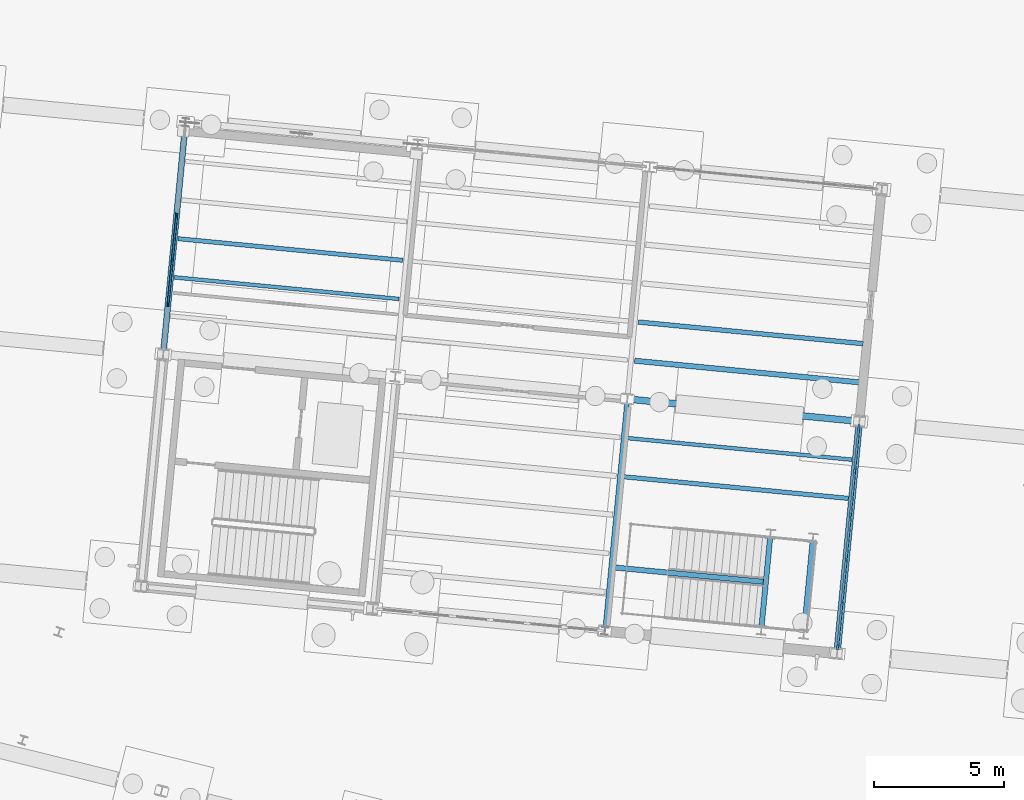
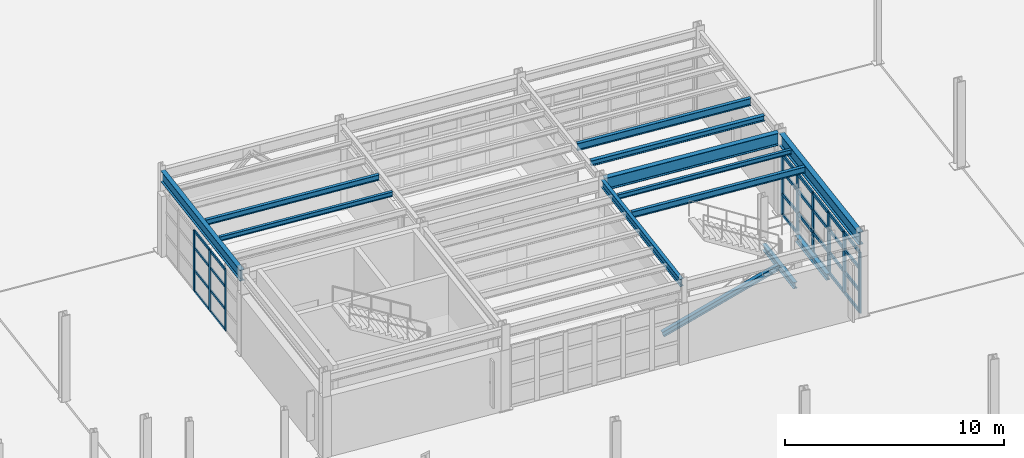
# One storey, part 49 of 108: 38 members, 12 beams, 2 elements without a shape of their own.
"""IFC4 building model written with IfcOpenShell, lengths in metres."""

from ifc_helpers import new_model, si_unit, direction, frame, origin, origin_2d, place, context, subcontext, project, spatial, rectangle, i_section, extrude, material, layer, layer_set, material_profile, profile_set, type_object, element, aggregate, save


model = new_model("IFC4")

# Units and contexts
model_context = context("Model", 3, precision=1e-05, world=origin(), true_north=direction((0.0, 1.0)))
body_context = subcontext(model_context, "Body", "Model", "MODEL_VIEW")
ifc_project = project(units=[si_unit("LENGTHUNIT", "METRE"), si_unit("AREAUNIT", "SQUARE_METRE"), si_unit("VOLUMEUNIT", "CUBIC_METRE"), si_unit("PLANEANGLEUNIT", "RADIAN"), si_unit("MASSUNIT", "GRAM", prefix="KILO")], contexts=[model_context])

# Site, building, storey
site_placement = place(None, origin())
site = spatial("IfcSite", under=ifc_project, at=site_placement, CompositionType="ELEMENT")
building_placement = place(site_placement, origin())
building = spatial("IfcBuilding", under=site, at=building_placement, Name="Vireo Bluff Cable Station", CompositionType="ELEMENT")
storey_placement = place(building_placement, origin())
storey = spatial("IfcBuildingStorey", under=building, at=storey_placement, Name="L00", CompositionType="ELEMENT", Elevation=0.0)

# Beams
ifc_material_1 = material(Name="Steel ASTM A992 Gr. 50", Category="steel")
ifc_material_profile_1 = material_profile(ifc_material_1, i_section(OverallWidth=0.2041015625, OverallDepth=0.35009765625, WebThickness=0.008544921875, FlangeThickness=0.01513671875, FilletRadius=0.010009765625, at=origin_2d()), Name="W14X48")
ifc_profile_set_1 = profile_set([ifc_material_profile_1], Name="Steel ASTM A992 Gr. 50")
beam_type_1 = type_object("IfcBeamType", Name="BM-W14X48", PredefinedType="BEAM", material=ifc_profile_set_1)
beam_1_placement = place(storey_placement, frame((91.700439453125, 65.4599609375, 2.02490234375), z_axis=(0.095877381209, 0.995393152364, 0.0), x_axis=(-0.995393152364, 0.095877381209, 0.0)))
element("IfcBeam", 1, at=beam_1_placement, inside=storey, type_object=beam_type_1, Name="ST-11 L00 landing header beam N", PredefinedType="BEAM", context=body_context, shape_type="SweptSolid", body=[
    extrude(i_section(OverallWidth=0.2041015625, OverallDepth=0.35009765625, WebThickness=0.008544921875, FlangeThickness=0.01513671875, FilletRadius=0.010009765625, at=origin_2d()), origin(), (0.0, 0.0, 1.0), 3.440185546875),
])
beam_2_placement = place(storey_placement, frame((93.3427734375, 65.302001953125, 2.02490234375), z_axis=(0.095884154538, 0.995392499926, 0.0), x_axis=(-0.995392499926, 0.095884154538, 0.0)))
element("IfcBeam", 2, at=beam_2_placement, inside=storey, type_object=beam_type_1, Name="ST-11 L00 landing header beam F", PredefinedType="BEAM", context=body_context, shape_type="SweptSolid", body=[
    extrude(i_section(OverallWidth=0.2041015625, OverallDepth=0.35009765625, WebThickness=0.008544921875, FlangeThickness=0.01513671875, FilletRadius=0.010009765625, at=origin_2d()), origin(), (0.0, 0.0, 1.0), 3.43994140625),
])
ifc_material_profile_2 = material_profile(ifc_material_1, i_section(OverallWidth=0.178955078125, OverallDepth=0.408935546875, WebThickness=0.0087890625, FlangeThickness=0.014404296875, FilletRadius=0.010009765625, at=origin_2d()), Name="W16X45")
ifc_profile_set_2 = profile_set([ifc_material_profile_2], Name="Steel ASTM A992 Gr. 50")
beam_type_2 = type_object("IfcBeamType", Name="BM-W16X45", PredefinedType="BEAM", material=ifc_profile_set_2)
beam_3_placement = place(storey_placement, frame((85.666748046875, 65.398193359375, 4.33544921875), z_axis=(0.095846764416, 0.995396100932, 0.0), x_axis=(-0.995396100932, 0.095846764416, 0.0)))
element("IfcBeam", 3, at=beam_3_placement, inside=storey, type_object=beam_type_2, Name="V3 L00 beam 617", PredefinedType="BEAM", context=body_context, shape_type="SweptSolid", body=[
    extrude(i_section(OverallWidth=0.178955078125, OverallDepth=0.408935546875, WebThickness=0.0087890625, FlangeThickness=0.014404296875, FilletRadius=0.010009765625, at=origin_2d()), origin(), (0.0, 0.0, 1.0), 8.759765625),
])

# Curtain wall, members
ifc_material_2 = material(Name="Anodized Aluminium 6063-T6", Category="aluminium")
ifc_layer = layer(ifc_material_2, 0.179931640625, Name="Anodized Aluminium 6063-T6")
ifc_layer_set = layer_set([ifc_layer], Name="Anodized Aluminium 6063-T6")
curtain_wall_type = type_object("IfcCurtainWallType", Name="CW-UNIT-1650", PredefinedType="USERDEFINED", material=ifc_layer_set)
curtain_wall_1_placement = place(storey_placement, origin())
curtain_wall_1 = element("IfcCurtainWall", 4, at=curtain_wall_1_placement, inside=storey, type_object=curtain_wall_type, Name="V3 L00 west curtain wall CW-068", ObjectType="UNITISED CURTAIN WALL", PredefinedType="USERDEFINED")
ifc_material_profile_3 = material_profile(ifc_material_2, rectangle(XDim=0.06494140625, YDim=0.179931640625, at=origin_2d()), Name="ALU-M-65X180")
ifc_profile_set_3 = profile_set([ifc_material_profile_3], Name="Anodized Aluminium 6063-T6")
member_type_1 = type_object("IfcMemberType", Name="CWM-01", PredefinedType="MULLION", material=ifc_profile_set_3)
member_1_placement = place(storey_placement, frame((68.786376953125, 77.890869140625, 0.0), z_axis=(0.0, 0.0, 1.0), x_axis=(-0.995396199521, 0.095845740533, 0.0)))
member_1 = element("IfcMember", 5, at=member_1_placement, type_object=member_type_1, Name="CW-068 mullion 2", PredefinedType="MULLION", context=body_context, shape_type="SweptSolid", body=[
    extrude(rectangle(XDim=0.06494140625, YDim=0.179931640625, at=origin_2d()), origin(), (0.0, 0.0, 1.0), 3.39990234375),
])
member_2_placement = place(storey_placement, frame((68.951904296875, 79.60986328125, 0.0), z_axis=(0.0, 0.0, 1.0), x_axis=(-0.995396199521, 0.095845740533, 0.0)))
member_2 = element("IfcMember", 6, at=member_2_placement, type_object=member_type_1, Name="CW-068 mullion 3", PredefinedType="MULLION", context=body_context, shape_type="SweptSolid", body=[
    extrude(rectangle(XDim=0.06494140625, YDim=0.179931640625, at=origin_2d()), origin(), (0.0, 0.0, 1.0), 3.39990234375),
])
member_3_placement = place(storey_placement, frame((69.117431640625, 81.328857421875, 0.0), z_axis=(0.0, 0.0, 1.0), x_axis=(-0.995396199521, 0.095845740533, 0.0)))
member_3 = element("IfcMember", 7, at=member_3_placement, type_object=member_type_1, Name="CW-068 mullion 4", PredefinedType="MULLION", context=body_context, shape_type="SweptSolid", body=[
    extrude(rectangle(XDim=0.06494140625, YDim=0.179931640625, at=origin_2d()), origin(), (0.0, 0.0, 1.0), 3.39990234375),
])

curtain_wall_2_placement = place(storey_placement, origin())
curtain_wall_2 = element("IfcCurtainWall", 8, at=curtain_wall_2_placement, inside=storey, type_object=curtain_wall_type, Name="V3 L00 east curtain wall CW-071", ObjectType="UNITISED CURTAIN WALL", PredefinedType="USERDEFINED")
ifc_material_profile_4 = material_profile(ifc_material_2, rectangle(XDim=0.080078125, YDim=0.239990234375, at=origin_2d()), Name="ALU-M-80X240")
ifc_profile_set_4 = profile_set([ifc_material_profile_4], Name="Anodized Aluminium 6063-T6")
member_type_2 = type_object("IfcMemberType", Name="CWM-04", PredefinedType="MULLION", material=ifc_profile_set_4)
member_4_placement = place(storey_placement, frame((95.453369140625, 73.13427734375, 0.0), z_axis=(0.0, 0.0, 1.0), x_axis=(0.995396190252, -0.095845836796, 0.0)))
member_4 = element("IfcMember", 9, at=member_4_placement, type_object=member_type_2, Name="CW-071 mullion 1", PredefinedType="MULLION", context=body_context, shape_type="SweptSolid", body=[
    extrude(rectangle(XDim=0.080078125, YDim=0.239990234375, at=origin_2d()), origin(), (0.0, 0.0, 1.0), 3.39990234375),
])
member_5_placement = place(storey_placement, frame((95.29248046875, 71.46435546875, 0.0), z_axis=(0.0, 0.0, 1.0), x_axis=(0.995396190252, -0.095845836796, 0.0)))
member_5 = element("IfcMember", 10, at=member_5_placement, type_object=member_type_2, Name="CW-071 mullion 2", PredefinedType="MULLION", context=body_context, shape_type="SweptSolid", body=[
    extrude(rectangle(XDim=0.080078125, YDim=0.239990234375, at=origin_2d()), origin(), (0.0, 0.0, 1.0), 3.39990234375),
])
member_6_placement = place(storey_placement, frame((95.1279296875, 69.754638671875, 0.0), z_axis=(0.0, 0.0, 1.0), x_axis=(0.995396190252, -0.095845836796, 0.0)))
member_6 = element("IfcMember", 11, at=member_6_placement, type_object=member_type_2, Name="CW-071 mullion 3", PredefinedType="MULLION", context=body_context, shape_type="SweptSolid", body=[
    extrude(rectangle(XDim=0.080078125, YDim=0.239990234375, at=origin_2d()), origin(), (0.0, 0.0, 1.0), 3.39990234375),
])
member_7_placement = place(storey_placement, frame((94.963134765625, 68.044921875, 0.0), z_axis=(0.0, 0.0, 1.0), x_axis=(0.995396190252, -0.095845836796, 0.0)))
member_7 = element("IfcMember", 12, at=member_7_placement, type_object=member_type_2, Name="CW-071 mullion 4", PredefinedType="MULLION", context=body_context, shape_type="SweptSolid", body=[
    extrude(rectangle(XDim=0.080078125, YDim=0.239990234375, at=origin_2d()), origin(), (0.0, 0.0, 1.0), 3.39990234375),
])
member_8_placement = place(storey_placement, frame((94.798583984375, 66.335205078125, 0.0), z_axis=(0.0, 0.0, 1.0), x_axis=(0.995396190252, -0.095845836796, 0.0)))
member_8 = element("IfcMember", 13, at=member_8_placement, type_object=member_type_2, Name="CW-071 mullion 5", PredefinedType="MULLION", context=body_context, shape_type="SweptSolid", body=[
    extrude(rectangle(XDim=0.080078125, YDim=0.239990234375, at=origin_2d()), origin(), (0.0, 0.0, 1.0), 3.39990234375),
])
member_9_placement = place(storey_placement, frame((94.6376953125, 64.665283203125, 0.0), z_axis=(0.0, 0.0, 1.0), x_axis=(0.995396190252, -0.095845836796, 0.0)))
member_9 = element("IfcMember", 14, at=member_9_placement, type_object=member_type_2, Name="CW-071 mullion 6", PredefinedType="MULLION", context=body_context, shape_type="SweptSolid", body=[
    extrude(rectangle(XDim=0.080078125, YDim=0.239990234375, at=origin_2d()), origin(), (0.0, 0.0, 1.0), 3.39990234375),
])

# Member
ifc_material_profile_5 = material_profile(ifc_material_2, rectangle(XDim=0.06494140625, YDim=0.139892578125, at=origin_2d()), Name="ALU-T-65X140")
ifc_profile_set_5 = profile_set([ifc_material_profile_5], Name="Anodized Aluminium 6063-T6")
member_type_3 = type_object("IfcMemberType", Name="CWT-01", PredefinedType="USERDEFINED", material=ifc_profile_set_5)
member_10_placement = place(storey_placement, frame((68.78955078125, 77.92333984375, 0.032470703125), z_axis=(0.095779585871, 0.995402567271, 0.0), x_axis=(-0.995402567271, 0.095779585871, 0.0)))
member_10 = element("IfcMember", 15, at=member_10_placement, type_object=member_type_3, Name="CW-068 transom 2.1", ObjectType="TRANSOM", PredefinedType="USERDEFINED", context=body_context, shape_type="SweptSolid", body=[
    extrude(rectangle(XDim=0.06494140625, YDim=0.139892578125, at=origin_2d()), origin(), (0.0, 0.0, 1.0), 1.661865234375),
])

member_11_placement = place(storey_placement, frame((68.78955078125, 77.92333984375, 1.18994140625), z_axis=(0.095779585871, 0.995402567271, 0.0), x_axis=(-0.995402567271, 0.095779585871, 0.0)))
member_11 = element("IfcMember", 16, at=member_11_placement, type_object=member_type_3, Name="CW-068 transom 2.2", ObjectType="TRANSOM", PredefinedType="USERDEFINED", context=body_context, shape_type="SweptSolid", body=[
    extrude(rectangle(XDim=0.06494140625, YDim=0.139892578125, at=origin_2d()), origin(), (0.0, 0.0, 1.0), 1.661865234375),
])

member_12_placement = place(storey_placement, frame((68.78955078125, 77.92333984375, 2.447998046875), z_axis=(0.095779585871, 0.995402567271, 0.0), x_axis=(-0.995402567271, 0.095779585871, 0.0)))
member_12 = element("IfcMember", 17, at=member_12_placement, type_object=member_type_3, Name="CW-068 transom 2.3", ObjectType="TRANSOM", PredefinedType="USERDEFINED", context=body_context, shape_type="SweptSolid", body=[
    extrude(rectangle(XDim=0.06494140625, YDim=0.139892578125, at=origin_2d()), origin(), (0.0, 0.0, 1.0), 1.661865234375),
])

member_13_placement = place(storey_placement, frame((68.78955078125, 77.92333984375, 3.367431640625), z_axis=(0.095779585871, 0.995402567271, 0.0), x_axis=(-0.995402567271, 0.095779585871, 0.0)))
member_13 = element("IfcMember", 18, at=member_13_placement, type_object=member_type_3, Name="CW-068 transom 2.4", ObjectType="TRANSOM", PredefinedType="USERDEFINED", context=body_context, shape_type="SweptSolid", body=[
    extrude(rectangle(XDim=0.06494140625, YDim=0.139892578125, at=origin_2d()), origin(), (0.0, 0.0, 1.0), 1.661865234375),
])

member_14_placement = place(storey_placement, frame((68.955078125, 79.642333984375, 0.032470703125), z_axis=(0.09579359336, 0.995401219344, 0.0), x_axis=(-0.995401219344, 0.09579359336, 0.0)))
member_14 = element("IfcMember", 19, at=member_14_placement, type_object=member_type_3, Name="CW-068 transom 3.1", ObjectType="TRANSOM", PredefinedType="USERDEFINED", context=body_context, shape_type="SweptSolid", body=[
    extrude(rectangle(XDim=0.06494140625, YDim=0.139892578125, at=origin_2d()), origin(), (0.0, 0.0, 1.0), 1.66162109375),
])

member_15_placement = place(storey_placement, frame((68.955078125, 79.642333984375, 1.18994140625), z_axis=(0.09579359336, 0.995401219344, 0.0), x_axis=(-0.995401219344, 0.09579359336, 0.0)))
member_15 = element("IfcMember", 20, at=member_15_placement, type_object=member_type_3, Name="CW-068 transom 3.2", ObjectType="TRANSOM", PredefinedType="USERDEFINED", context=body_context, shape_type="SweptSolid", body=[
    extrude(rectangle(XDim=0.06494140625, YDim=0.139892578125, at=origin_2d()), origin(), (0.0, 0.0, 1.0), 1.66162109375),
])

member_16_placement = place(storey_placement, frame((68.955078125, 79.642333984375, 2.447998046875), z_axis=(0.09579359336, 0.995401219344, 0.0), x_axis=(-0.995401219344, 0.09579359336, 0.0)))
member_16 = element("IfcMember", 21, at=member_16_placement, type_object=member_type_3, Name="CW-068 transom 3.3", ObjectType="TRANSOM", PredefinedType="USERDEFINED", context=body_context, shape_type="SweptSolid", body=[
    extrude(rectangle(XDim=0.06494140625, YDim=0.139892578125, at=origin_2d()), origin(), (0.0, 0.0, 1.0), 1.66162109375),
])

member_17_placement = place(storey_placement, frame((68.955078125, 79.642333984375, 3.367431640625), z_axis=(0.09579359336, 0.995401219344, 0.0), x_axis=(-0.995401219344, 0.09579359336, 0.0)))
member_17 = element("IfcMember", 22, at=member_17_placement, type_object=member_type_3, Name="CW-068 transom 3.4", ObjectType="TRANSOM", PredefinedType="USERDEFINED", context=body_context, shape_type="SweptSolid", body=[
    extrude(rectangle(XDim=0.06494140625, YDim=0.139892578125, at=origin_2d()), origin(), (0.0, 0.0, 1.0), 1.66162109375),
])

aggregate(curtain_wall_1, [member_1, member_2, member_3, member_10, member_11, member_12, member_13, member_14, member_15, member_16, member_17])

ifc_material_profile_6 = material_profile(ifc_material_2, rectangle(XDim=0.080078125, YDim=0.175048828125, at=origin_2d()), Name="ALU-T-80X175")
ifc_profile_set_6 = profile_set([ifc_material_profile_6], Name="Anodized Aluminium 6063-T6")
member_type_4 = type_object("IfcMemberType", Name="CWT-04", PredefinedType="USERDEFINED", material=ifc_profile_set_6)
member_18_placement = place(storey_placement, frame((95.449462890625, 73.094482421875, 0.0400390625), z_axis=(-0.09581140462, -0.995399505096, 0.0), x_axis=(0.995399505096, -0.09581140462, 0.0)))
member_18 = element("IfcMember", 23, at=member_18_placement, type_object=member_type_4, Name="CW-071 transom 1.1", ObjectType="TRANSOM", PredefinedType="USERDEFINED", context=body_context, shape_type="SweptSolid", body=[
    extrude(rectangle(XDim=0.080078125, YDim=0.175048828125, at=origin_2d()), origin(), (0.0, 0.0, 1.0), 1.59765625),
])

member_19_placement = place(storey_placement, frame((95.449462890625, 73.094482421875, 1.18994140625), z_axis=(-0.09581140462, -0.995399505096, 0.0), x_axis=(0.995399505096, -0.09581140462, 0.0)))
member_19 = element("IfcMember", 24, at=member_19_placement, type_object=member_type_4, Name="CW-071 transom 1.2", ObjectType="TRANSOM", PredefinedType="USERDEFINED", context=body_context, shape_type="SweptSolid", body=[
    extrude(rectangle(XDim=0.080078125, YDim=0.175048828125, at=origin_2d()), origin(), (0.0, 0.0, 1.0), 1.59765625),
])

member_20_placement = place(storey_placement, frame((95.449462890625, 73.094482421875, 2.447998046875), z_axis=(-0.09581140462, -0.995399505096, 0.0), x_axis=(0.995399505096, -0.09581140462, 0.0)))
member_20 = element("IfcMember", 25, at=member_20_placement, type_object=member_type_4, Name="CW-071 transom 1.3", ObjectType="TRANSOM", PredefinedType="USERDEFINED", context=body_context, shape_type="SweptSolid", body=[
    extrude(rectangle(XDim=0.080078125, YDim=0.175048828125, at=origin_2d()), origin(), (0.0, 0.0, 1.0), 1.59765625),
])

member_21_placement = place(storey_placement, frame((95.449462890625, 73.094482421875, 3.360107421875), z_axis=(-0.09581140462, -0.995399505096, 0.0), x_axis=(0.995399505096, -0.09581140462, 0.0)))
member_21 = element("IfcMember", 26, at=member_21_placement, type_object=member_type_4, Name="CW-071 transom 1.4", ObjectType="TRANSOM", PredefinedType="USERDEFINED", context=body_context, shape_type="SweptSolid", body=[
    extrude(rectangle(XDim=0.080078125, YDim=0.175048828125, at=origin_2d()), origin(), (0.0, 0.0, 1.0), 1.59765625),
])

member_22_placement = place(storey_placement, frame((95.28857421875, 71.424560546875, 0.0400390625), z_axis=(-0.095857277512, -0.995395088569, 0.0), x_axis=(0.995395088569, -0.095857277512, 0.0)))
member_22 = element("IfcMember", 27, at=member_22_placement, type_object=member_type_4, Name="CW-071 transom 2.1", ObjectType="TRANSOM", PredefinedType="USERDEFINED", context=body_context, shape_type="SweptSolid", body=[
    extrude(rectangle(XDim=0.080078125, YDim=0.175048828125, at=origin_2d()), origin(), (0.0, 0.0, 1.0), 1.6376953125),
])

member_23_placement = place(storey_placement, frame((95.28857421875, 71.424560546875, 1.18994140625), z_axis=(-0.095857277512, -0.995395088569, 0.0), x_axis=(0.995395088569, -0.095857277512, 0.0)))
member_23 = element("IfcMember", 28, at=member_23_placement, type_object=member_type_4, Name="CW-071 transom 2.2", ObjectType="TRANSOM", PredefinedType="USERDEFINED", context=body_context, shape_type="SweptSolid", body=[
    extrude(rectangle(XDim=0.080078125, YDim=0.175048828125, at=origin_2d()), origin(), (0.0, 0.0, 1.0), 1.6376953125),
])

member_24_placement = place(storey_placement, frame((95.28857421875, 71.424560546875, 2.447998046875), z_axis=(-0.095857277512, -0.995395088569, 0.0), x_axis=(0.995395088569, -0.095857277512, 0.0)))
member_24 = element("IfcMember", 29, at=member_24_placement, type_object=member_type_4, Name="CW-071 transom 2.3", ObjectType="TRANSOM", PredefinedType="USERDEFINED", context=body_context, shape_type="SweptSolid", body=[
    extrude(rectangle(XDim=0.080078125, YDim=0.175048828125, at=origin_2d()), origin(), (0.0, 0.0, 1.0), 1.6376953125),
])

member_25_placement = place(storey_placement, frame((95.28857421875, 71.424560546875, 3.360107421875), z_axis=(-0.095857277512, -0.995395088569, 0.0), x_axis=(0.995395088569, -0.095857277512, 0.0)))
member_25 = element("IfcMember", 30, at=member_25_placement, type_object=member_type_4, Name="CW-071 transom 2.4", ObjectType="TRANSOM", PredefinedType="USERDEFINED", context=body_context, shape_type="SweptSolid", body=[
    extrude(rectangle(XDim=0.080078125, YDim=0.175048828125, at=origin_2d()), origin(), (0.0, 0.0, 1.0), 1.6376953125),
])

member_26_placement = place(storey_placement, frame((95.1240234375, 69.71484375, 0.0400390625), z_axis=(-0.095857277512, -0.995395088569, 0.0), x_axis=(0.995395088569, -0.095857277512, 0.0)))
member_26 = element("IfcMember", 31, at=member_26_placement, type_object=member_type_4, Name="CW-071 transom 3.1", ObjectType="TRANSOM", PredefinedType="USERDEFINED", context=body_context, shape_type="SweptSolid", body=[
    extrude(rectangle(XDim=0.080078125, YDim=0.175048828125, at=origin_2d()), origin(), (0.0, 0.0, 1.0), 1.6376953125),
])

member_27_placement = place(storey_placement, frame((95.1240234375, 69.71484375, 1.18994140625), z_axis=(-0.095857277512, -0.995395088569, 0.0), x_axis=(0.995395088569, -0.095857277512, 0.0)))
member_27 = element("IfcMember", 32, at=member_27_placement, type_object=member_type_4, Name="CW-071 transom 3.2", ObjectType="TRANSOM", PredefinedType="USERDEFINED", context=body_context, shape_type="SweptSolid", body=[
    extrude(rectangle(XDim=0.080078125, YDim=0.175048828125, at=origin_2d()), origin(), (0.0, 0.0, 1.0), 1.6376953125),
])

member_28_placement = place(storey_placement, frame((95.1240234375, 69.71484375, 2.447998046875), z_axis=(-0.095857277512, -0.995395088569, 0.0), x_axis=(0.995395088569, -0.095857277512, 0.0)))
member_28 = element("IfcMember", 33, at=member_28_placement, type_object=member_type_4, Name="CW-071 transom 3.3", ObjectType="TRANSOM", PredefinedType="USERDEFINED", context=body_context, shape_type="SweptSolid", body=[
    extrude(rectangle(XDim=0.080078125, YDim=0.175048828125, at=origin_2d()), origin(), (0.0, 0.0, 1.0), 1.6376953125),
])

member_29_placement = place(storey_placement, frame((95.1240234375, 69.71484375, 3.360107421875), z_axis=(-0.095857277512, -0.995395088569, 0.0), x_axis=(0.995395088569, -0.095857277512, 0.0)))
member_29 = element("IfcMember", 34, at=member_29_placement, type_object=member_type_4, Name="CW-071 transom 3.4", ObjectType="TRANSOM", PredefinedType="USERDEFINED", context=body_context, shape_type="SweptSolid", body=[
    extrude(rectangle(XDim=0.080078125, YDim=0.175048828125, at=origin_2d()), origin(), (0.0, 0.0, 1.0), 1.6376953125),
])

member_30_placement = place(storey_placement, frame((94.95947265625, 68.005126953125, 0.0400390625), z_axis=(-0.095857277512, -0.995395088569, 0.0), x_axis=(0.995395088569, -0.095857277512, 0.0)))
member_30 = element("IfcMember", 35, at=member_30_placement, type_object=member_type_4, Name="CW-071 transom 4.1", ObjectType="TRANSOM", PredefinedType="USERDEFINED", context=body_context, shape_type="SweptSolid", body=[
    extrude(rectangle(XDim=0.080078125, YDim=0.175048828125, at=origin_2d()), origin(), (0.0, 0.0, 1.0), 1.6376953125),
])

member_31_placement = place(storey_placement, frame((94.95947265625, 68.005126953125, 1.18994140625), z_axis=(-0.095857277512, -0.995395088569, 0.0), x_axis=(0.995395088569, -0.095857277512, 0.0)))
member_31 = element("IfcMember", 36, at=member_31_placement, type_object=member_type_4, Name="CW-071 transom 4.2", ObjectType="TRANSOM", PredefinedType="USERDEFINED", context=body_context, shape_type="SweptSolid", body=[
    extrude(rectangle(XDim=0.080078125, YDim=0.175048828125, at=origin_2d()), origin(), (0.0, 0.0, 1.0), 1.6376953125),
])

member_32_placement = place(storey_placement, frame((94.95947265625, 68.005126953125, 2.447998046875), z_axis=(-0.095857277512, -0.995395088569, 0.0), x_axis=(0.995395088569, -0.095857277512, 0.0)))
member_32 = element("IfcMember", 37, at=member_32_placement, type_object=member_type_4, Name="CW-071 transom 4.3", ObjectType="TRANSOM", PredefinedType="USERDEFINED", context=body_context, shape_type="SweptSolid", body=[
    extrude(rectangle(XDim=0.080078125, YDim=0.175048828125, at=origin_2d()), origin(), (0.0, 0.0, 1.0), 1.6376953125),
])

member_33_placement = place(storey_placement, frame((94.95947265625, 68.005126953125, 3.360107421875), z_axis=(-0.095857277512, -0.995395088569, 0.0), x_axis=(0.995395088569, -0.095857277512, 0.0)))
member_33 = element("IfcMember", 38, at=member_33_placement, type_object=member_type_4, Name="CW-071 transom 4.4", ObjectType="TRANSOM", PredefinedType="USERDEFINED", context=body_context, shape_type="SweptSolid", body=[
    extrude(rectangle(XDim=0.080078125, YDim=0.175048828125, at=origin_2d()), origin(), (0.0, 0.0, 1.0), 1.6376953125),
])

member_34_placement = place(storey_placement, frame((94.794677734375, 66.29541015625, 0.0400390625), z_axis=(-0.095825980341, -0.995398102013, 0.0), x_axis=(0.995398102013, -0.095825980341, 0.0)))
member_34 = element("IfcMember", 39, at=member_34_placement, type_object=member_type_4, Name="CW-071 transom 5.1", ObjectType="TRANSOM", PredefinedType="USERDEFINED", context=body_context, shape_type="SweptSolid", body=[
    extrude(rectangle(XDim=0.080078125, YDim=0.175048828125, at=origin_2d()), origin(), (0.0, 0.0, 1.0), 1.597412109375),
])

member_35_placement = place(storey_placement, frame((94.794677734375, 66.29541015625, 1.18994140625), z_axis=(-0.095825980341, -0.995398102013, 0.0), x_axis=(0.995398102013, -0.095825980341, 0.0)))
member_35 = element("IfcMember", 40, at=member_35_placement, type_object=member_type_4, Name="CW-071 transom 5.2", ObjectType="TRANSOM", PredefinedType="USERDEFINED", context=body_context, shape_type="SweptSolid", body=[
    extrude(rectangle(XDim=0.080078125, YDim=0.175048828125, at=origin_2d()), origin(), (0.0, 0.0, 1.0), 1.597412109375),
])

member_36_placement = place(storey_placement, frame((94.794677734375, 66.29541015625, 2.447998046875), z_axis=(-0.095825980341, -0.995398102013, 0.0), x_axis=(0.995398102013, -0.095825980341, 0.0)))
member_36 = element("IfcMember", 41, at=member_36_placement, type_object=member_type_4, Name="CW-071 transom 5.3", ObjectType="TRANSOM", PredefinedType="USERDEFINED", context=body_context, shape_type="SweptSolid", body=[
    extrude(rectangle(XDim=0.080078125, YDim=0.175048828125, at=origin_2d()), origin(), (0.0, 0.0, 1.0), 1.597412109375),
])

member_37_placement = place(storey_placement, frame((94.794677734375, 66.29541015625, 3.360107421875), z_axis=(-0.095825980341, -0.995398102013, 0.0), x_axis=(0.995398102013, -0.095825980341, 0.0)))
member_37 = element("IfcMember", 42, at=member_37_placement, type_object=member_type_4, Name="CW-071 transom 5.4", ObjectType="TRANSOM", PredefinedType="USERDEFINED", context=body_context, shape_type="SweptSolid", body=[
    extrude(rectangle(XDim=0.080078125, YDim=0.175048828125, at=origin_2d()), origin(), (0.0, 0.0, 1.0), 1.597412109375),
])

aggregate(curtain_wall_2, [member_4, member_5, member_6, member_7, member_8, member_9, member_18, member_19, member_20, member_21, member_22, member_23, member_24, member_25, member_26, member_27, member_28, member_29, member_30, member_31, member_32, member_33, member_34, member_35, member_36, member_37])

# Beams
ifc_material_profile_7 = material_profile(ifc_material_1, i_section(OverallWidth=0.257080078125, OverallDepth=0.693115234375, WebThickness=0.014404296875, FlangeThickness=0.023681640625, FilletRadius=0.014892578125, at=origin_2d()), Name="W27X114")
ifc_profile_set_7 = profile_set([ifc_material_profile_7], Name="Steel ASTM A992 Gr. 50")
beam_type_3 = type_object("IfcBeamType", Name="GIR-W27X114", PredefinedType="USERDEFINED", material=ifc_profile_set_7)
beam_4_placement = place(storey_placement, frame((86.63720703125, 74.225830078125, 4.193603515625), z_axis=(0.995396356957, -0.095844105487, 0.0), x_axis=(0.095844105487, 0.995396356957, 0.0)))
element("IfcBeam", 43, at=beam_4_placement, inside=storey, type_object=beam_type_3, Name="V3 L00 girder 609", ObjectType="GIRDER", PredefinedType="USERDEFINED", context=body_context, shape_type="SweptSolid", body=[
    extrude(i_section(OverallWidth=0.257080078125, OverallDepth=0.693115234375, WebThickness=0.014404296875, FlangeThickness=0.023681640625, FilletRadius=0.014892578125, at=origin_2d()), origin(), (0.0, 0.0, 1.0), 8.760009765625),
])
ifc_material_profile_8 = material_profile(ifc_material_1, i_section(OverallWidth=0.14599609375, OverallDepth=0.259033203125, WebThickness=0.006103515625, FlangeThickness=0.009033203125, FilletRadius=0.009033203125, at=origin_2d()), Name="W10X22")
ifc_profile_set_8 = profile_set([ifc_material_profile_8], Name="Steel ASTM A992 Gr. 50")
beam_type_4 = type_object("IfcBeamType", Name="JST-W10X22", PredefinedType="JOIST", material=ifc_profile_set_8)
for number, where, z_axis, x_axis, name in (
    (44, (69.027587890625, 78.935302734375, 4.410400390625), (0.995394500818, -0.095863380609, 0.0), (0.095863380609, 0.995394500818, 0.0), "V3 L00 composite joist 622"),
    (45, (86.513427734375, 72.730712890625, 4.410400390625), (0.995397172011, -0.095835640306, 0.0), (0.095835640306, 0.995397172011, 0.0), "V3 L00 composite joist 637"),
):
    element("IfcBeam", number, at=place(storey_placement, frame(where, z_axis=z_axis, x_axis=x_axis)), inside=storey, type_object=beam_type_4, Name=name, PredefinedType="JOIST", context=body_context, shape_type="SweptSolid", body=[
        extrude(i_section(OverallWidth=0.14599609375, OverallDepth=0.259033203125, WebThickness=0.006103515625, FlangeThickness=0.009033203125, FilletRadius=0.009033203125, at=origin_2d()), origin(), (0.0, 0.0, 1.0), 8.719970703125),
    ])
ifc_material_profile_9 = material_profile(ifc_material_1, i_section(OverallWidth=0.1650390625, OverallDepth=0.31005859375, WebThickness=0.005859375, FlangeThickness=0.009765625, FilletRadius=0.010009765625, at=origin_2d()), Name="W12X26")
ifc_profile_set_9 = profile_set([ifc_material_profile_9], Name="Steel ASTM A992 Gr. 50")
beam_type_5 = type_object("IfcBeamType", Name="JST-W12X26", PredefinedType="JOIST", material=ifc_profile_set_9)
beam_5_placement = place(storey_placement, frame((69.17138671875, 80.42822265625, 4.385009765625), z_axis=(0.995397172011, -0.095835640306, 0.0), x_axis=(0.095835640306, 0.995397172011, 0.0)))
element("IfcBeam", 46, at=beam_5_placement, inside=storey, type_object=beam_type_5, Name="V3 L00 composite joist 623", PredefinedType="JOIST", context=body_context, shape_type="SweptSolid", body=[
    extrude(i_section(OverallWidth=0.1650390625, OverallDepth=0.31005859375, WebThickness=0.005859375, FlangeThickness=0.009765625, FilletRadius=0.010009765625, at=origin_2d()), origin(), (0.0, 0.0, 1.0), 8.719970703125),
])
ifc_material_profile_10 = material_profile(ifc_material_1, i_section(OverallWidth=0.202880859375, OverallDepth=0.302978515625, WebThickness=0.007568359375, FlangeThickness=0.01318359375, FilletRadius=0.010009765625, at=origin_2d()), Name="W12X40")
ifc_profile_set_10 = profile_set([ifc_material_profile_10], Name="Steel ASTM A992 Gr. 50")
beam_type_6 = type_object("IfcBeamType", Name="JST-W12X40", PredefinedType="JOIST", material=ifc_profile_set_10)
beam_6_placement = place(storey_placement, frame((86.801025390625, 75.716796875, 4.388427734375), z_axis=(0.995396914857, -0.095838311194, 0.0), x_axis=(0.095838311194, 0.995396914857, 0.0)))
element("IfcBeam", 47, at=beam_6_placement, inside=storey, type_object=beam_type_6, Name="V3 L00 composite joist 638", PredefinedType="JOIST", context=body_context, shape_type="SweptSolid", body=[
    extrude(i_section(OverallWidth=0.202880859375, OverallDepth=0.302978515625, WebThickness=0.007568359375, FlangeThickness=0.01318359375, FilletRadius=0.010009765625, at=origin_2d()), origin(), (0.0, 0.0, 1.0), 8.7197265625),
])
ifc_material_profile_11 = material_profile(ifc_material_1, i_section(OverallWidth=0.1708984375, OverallDepth=0.35107421875, WebThickness=0.0068359375, FlangeThickness=0.009765625, FilletRadius=0.010009765625, at=origin_2d()), Name="W14X30")
ifc_profile_set_11 = profile_set([ifc_material_profile_11], Name="Steel ASTM A992 Gr. 50")
beam_type_7 = type_object("IfcBeamType", Name="JST-W14X30", PredefinedType="JOIST", material=ifc_profile_set_11)
beam_7_placement = place(storey_placement, frame((86.36962890625, 71.237548828125, 4.364501953125), z_axis=(0.995397172011, -0.095835640306, 0.0), x_axis=(0.095835640306, 0.995397172011, 0.0)))
element("IfcBeam", 48, at=beam_7_placement, inside=storey, type_object=beam_type_7, Name="V3 L00 composite joist 636", PredefinedType="JOIST", context=body_context, shape_type="SweptSolid", body=[
    extrude(i_section(OverallWidth=0.1708984375, OverallDepth=0.35107421875, WebThickness=0.0068359375, FlangeThickness=0.009765625, FilletRadius=0.010009765625, at=origin_2d()), origin(), (0.0, 0.0, 1.0), 8.719970703125),
])
ifc_material_profile_12 = material_profile(ifc_material_1, i_section(OverallWidth=0.177978515625, OverallDepth=0.404052734375, WebThickness=0.007568359375, FlangeThickness=0.010986328125, FilletRadius=0.010009765625, at=origin_2d()), Name="W16X36")
ifc_profile_set_12 = profile_set([ifc_material_profile_12], Name="Steel ASTM A992 Gr. 50")
beam_type_8 = type_object("IfcBeamType", Name="JST-W16X36", PredefinedType="JOIST", material=ifc_profile_set_12)
beam_8_placement = place(storey_placement, frame((86.94482421875, 77.2099609375, 4.337890625), z_axis=(0.995396914857, -0.095838311194, 0.0), x_axis=(0.095838311194, 0.995396914857, 0.0)))
element("IfcBeam", 49, at=beam_8_placement, inside=storey, type_object=beam_type_8, Name="V3 L00 composite joist 639", PredefinedType="JOIST", context=body_context, shape_type="SweptSolid", body=[
    extrude(i_section(OverallWidth=0.177978515625, OverallDepth=0.404052734375, WebThickness=0.007568359375, FlangeThickness=0.010986328125, FilletRadius=0.010009765625, at=origin_2d()), origin(), (0.0, 0.0, 1.0), 8.7197265625),
])
ifc_material_profile_13 = material_profile(ifc_material_1, i_section(OverallWidth=0.22802734375, OverallDepth=0.60693359375, WebThickness=0.01123046875, FlangeThickness=0.017333984375, FilletRadius=0.012939453125, at=origin_2d()), Name="W24X76")
ifc_profile_set_13 = profile_set([ifc_material_profile_13], Name="Steel ASTM A992 Gr. 50")
beam_type_9 = type_object("IfcBeamType", Name="SPN-W24X76", PredefinedType="SPANDREL", material=ifc_profile_set_13)
beam_9_placement = place(storey_placement, frame((68.6123046875, 76.081787109375, 4.236572265625), z_axis=(0.095844105487, 0.995396356957, 0.0), x_axis=(-0.995396356957, 0.095844105487, 0.0)))
element("IfcBeam", 50, at=beam_9_placement, inside=storey, type_object=beam_type_9, Name="V3 L00 spandrel 614", PredefinedType="SPANDREL", context=body_context, shape_type="SweptSolid", body=[
    extrude(i_section(OverallWidth=0.22802734375, OverallDepth=0.60693359375, WebThickness=0.01123046875, FlangeThickness=0.017333984375, FilletRadius=0.012939453125, at=origin_2d()), origin(), (0.0, 0.0, 1.0), 8.760009765625),
])
ifc_material_profile_14 = material_profile(ifc_material_1, i_section(OverallWidth=0.257080078125, OverallDepth=0.693115234375, WebThickness=0.014404296875, FlangeThickness=0.023681640625, FilletRadius=0.014892578125, at=origin_2d()), Name="W27X114")
ifc_profile_set_14 = profile_set([ifc_material_profile_14], Name="Steel ASTM A992 Gr. 50")
beam_type_10 = type_object("IfcBeamType", Name="SPN-W27X114", PredefinedType="SPANDREL", material=ifc_profile_set_14)
beam_10_placement = place(storey_placement, frame((94.625244140625, 64.535400390625, 4.193603515625), z_axis=(0.095844105487, 0.995396356957, 0.0), x_axis=(-0.995396356957, 0.095844105487, 0.0)))
element("IfcBeam", 51, at=beam_10_placement, inside=storey, type_object=beam_type_10, Name="V3 L00 spandrel 619", PredefinedType="SPANDREL", context=body_context, shape_type="SweptSolid", body=[
    extrude(i_section(OverallWidth=0.257080078125, OverallDepth=0.693115234375, WebThickness=0.014404296875, FlangeThickness=0.023681640625, FilletRadius=0.014892578125, at=origin_2d()), origin(), (0.0, 0.0, 1.0), 8.760009765625),
])

# Member
ifc_material_profile_15 = material_profile(ifc_material_1, i_section(OverallWidth=0.202880859375, OverallDepth=0.302978515625, WebThickness=0.007568359375, FlangeThickness=0.01318359375, FilletRadius=0.010009765625, at=origin_2d()), Name="W12X40")
ifc_profile_set_15 = profile_set([ifc_material_profile_15], Name="Steel ASTM A992 Gr. 50")
member_type_5 = type_object("IfcMemberType", Name="STRINGER-02", PredefinedType="STRINGER", material=ifc_profile_set_15)
member_38_placement = place(storey_placement, frame((85.992431640625, 67.737548828125, -0.050048828125), z_axis=(0.938132924561, -0.090308716397, 0.334291716316), x_axis=(0.095821351945, 0.995398547574, 0.0)))
element("IfcMember", 52, at=member_38_placement, inside=storey, type_object=member_type_5, Name="ST-11 L00 steel stair stringer", PredefinedType="STRINGER", context=body_context, shape_type="SweptSolid", body=[
    extrude(i_section(OverallWidth=0.202880859375, OverallDepth=0.302978515625, WebThickness=0.007568359375, FlangeThickness=0.01318359375, FilletRadius=0.010009765625, at=origin_2d()), origin(), (0.0, 0.0, 1.0), 6.20703125),
])

save(model, "model.ifc")
